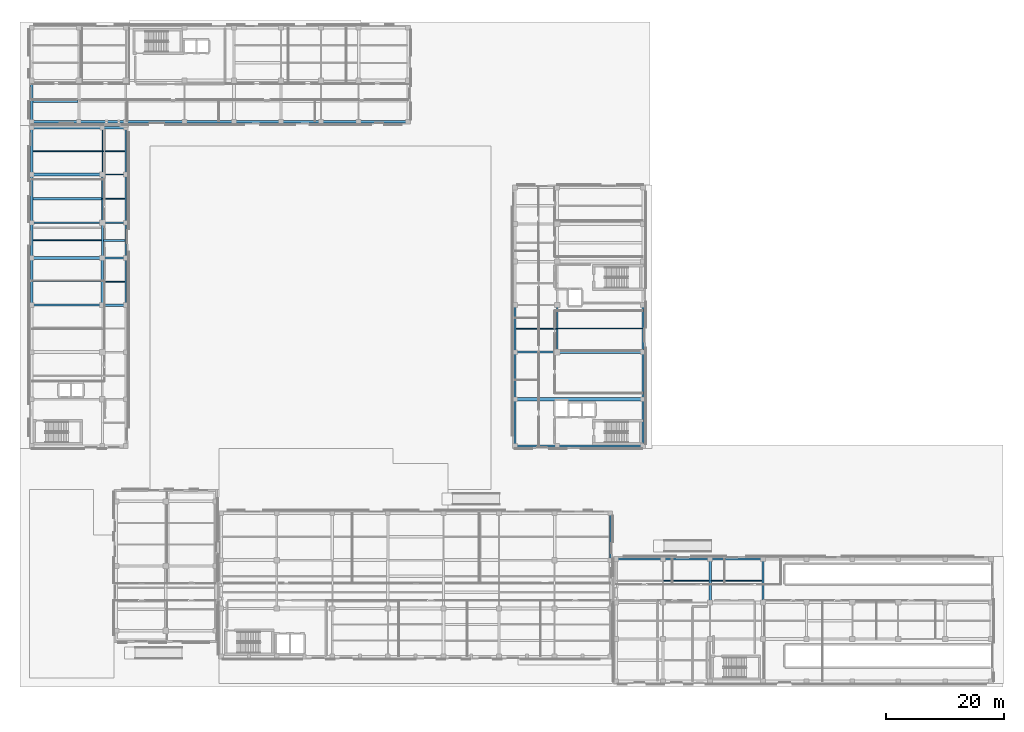
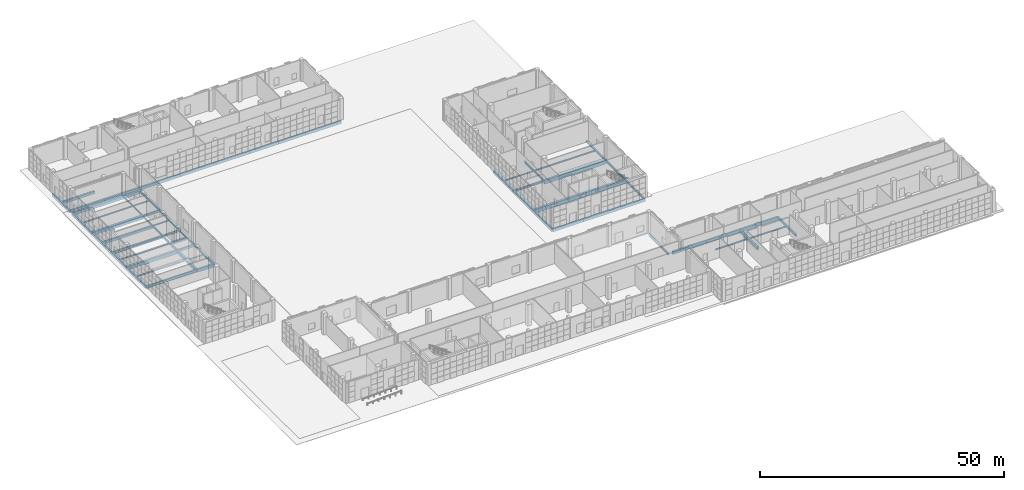
# One storey, part 4 of 40: 62 beams.
"""IFC4 building model written with IfcOpenShell, lengths in metres."""

import ifcopenshell
import ifcopenshell.guid

model = None  # the IFC model being written
_history = None  # IfcOwnerHistory: only IFC2X3 demands one
_inside = {}  # id of a spatial element -> (the spatial element, [elements in it])
_under = {}  # id of a project, library or spatial element -> (it, [spatial elements below it])
_declared = {}  # id of a project -> (the project, [libraries it declares])
_typed = {}  # id of a type object -> (the type object, [elements of that type])
_made_of = {}  # id of a material, layer set ... -> (it, [elements and type objects made of it])


def new_model(schema):
    """Start an empty IFC model of exactly this schema.

    Asked for "IFC4X3", IfcOpenShell would pick the latest addendum, in which some entities
    have other attributes; the version numbers below select the first issue.
    IFC2X3 requires an IfcOwnerHistory on every rooted entity: one is made here for all.
    """
    global model, _history
    if schema == "IFC4X3":
        model = ifcopenshell.file(schema_version=(4, 3, 0, 0))
    else:
        model = ifcopenshell.file(schema=schema)
    _inside.clear()
    _under.clear()
    _declared.clear()
    _typed.clear()
    _made_of.clear()
    _history = None
    if model.schema == "IFC2X3":
        org = make("IfcOrganization", Name="unknown")
        user = make(
            "IfcPersonAndOrganization",
            ThePerson=make("IfcPerson", FamilyName="unknown"),
            TheOrganization=org,
        )
        app = make(
            "IfcApplication",
            ApplicationDeveloper=org,
            Version="unknown",
            ApplicationFullName="unknown",
            ApplicationIdentifier="unknown",
        )
        _history = make(
            "IfcOwnerHistory",
            OwningUser=user,
            OwningApplication=app,
            ChangeAction="ADDED",
            CreationDate=0,
        )
    return model


def make(cls, **values):
    """One entity of the class cls with the attributes given. An attribute that is None is left unset."""
    return model.create_entity(
        cls, **{name: value for name, value in values.items() if value is not None}
    )


def rooted(cls, **values):
    """An entity with a GlobalId (a new one), such as an element, a storey or a relation."""
    return make(cls, GlobalId=ifcopenshell.guid.new(), OwnerHistory=_history, **values)


def si_unit(unit_type, name, prefix=None):
    """IfcSIUnit, for example si_unit("LENGTHUNIT", "METRE", prefix="MILLI")."""
    return make("IfcSIUnit", UnitType=unit_type, Prefix=prefix, Name=name)


def assignment(units):
    """IfcUnitAssignment: the units of a project."""
    return None if units is None else make("IfcUnitAssignment", Units=units)


def point(xyz):
    """IfcCartesianPoint."""
    return None if xyz is None else make("IfcCartesianPoint", Coordinates=xyz)


def direction(xyz):
    """IfcDirection."""
    return None if xyz is None else make("IfcDirection", DirectionRatios=xyz)


def frame(location, z_axis=None, x_axis=None):
    """IfcAxis2Placement3D, a coordinate frame: its origin and axes. An axis left out is left unset."""
    return make(
        "IfcAxis2Placement3D",
        Location=point(location),
        Axis=direction(z_axis),
        RefDirection=direction(x_axis),
    )


def frame_2d(location, x_axis=None):
    """IfcAxis2Placement2D, a coordinate frame in the plane: its origin and x axis."""
    return make(
        "IfcAxis2Placement2D", Location=point(location), RefDirection=direction(x_axis)
    )


def origin():
    """The frame at (0, 0, 0) with its axes left unset."""
    return frame((0.0, 0.0, 0.0))


def origin_2d():
    """The frame at (0, 0) in the plane with its x axis left unset."""
    return frame_2d((0.0, 0.0))


def place(relative_to, where):
    """IfcLocalPlacement: puts the frame where relative to a parent placement (None: the world)."""
    return make(
        "IfcLocalPlacement", PlacementRelTo=relative_to, RelativePlacement=where
    )


def context(
    kind, dimensions, precision=None, world=None, true_north=None, identifier=None
):
    """IfcGeometricRepresentationContext, for example the 3D "Model" context."""
    return make(
        "IfcGeometricRepresentationContext",
        ContextIdentifier=identifier,
        ContextType=kind,
        CoordinateSpaceDimension=dimensions,
        Precision=precision,
        WorldCoordinateSystem=world,
        TrueNorth=true_north,
    )


def subcontext(parent, identifier, kind, view, scale=None):
    """IfcGeometricRepresentationSubContext, for example "Body" below "Model"."""
    return make(
        "IfcGeometricRepresentationSubContext",
        ContextIdentifier=identifier,
        ContextType=kind,
        ParentContext=parent,
        TargetScale=scale,
        TargetView=view,
    )


def project(units=None, contexts=None):
    """IfcProject with its units and contexts."""
    return rooted(
        "IfcProject",
        Name="project",
        RepresentationContexts=contexts,
        UnitsInContext=assignment(units),
    )


def spatial(cls, under=None, at=None, **own):
    """A site, building, storey or space (cls), placed at a placement, below another one or the project."""
    s = rooted(cls, ObjectPlacement=at, **own)
    if under is not None:
        _under.setdefault(under.id(), (under, []))[1].append(s)
    return s


def profile(cls, at=None, kind="AREA", **sizes):
    """A parametric profile (cls). Its sizes go by their IFC names, for example OverallWidth=200.0."""
    return make(cls, ProfileType=kind, Position=at, **sizes)


def rectangle(**sizes):
    """IfcRectangleProfileDef."""
    return profile("IfcRectangleProfileDef", **sizes)


def i_section(**sizes):
    """IfcIShapeProfileDef."""
    return profile("IfcIShapeProfileDef", **sizes)


def extrude(swept, where, along, depth):
    """IfcExtrudedAreaSolid: the profile swept, set in the frame where, extruded along a direction by depth."""
    return make(
        "IfcExtrudedAreaSolid",
        SweptArea=swept,
        Position=where,
        ExtrudedDirection=direction(along),
        Depth=depth,
    )


def shape(context_of_items, identifier, shape_type, items):
    """IfcShapeRepresentation: the items that make up one representation, for example the "Body"."""
    return make(
        "IfcShapeRepresentation",
        ContextOfItems=context_of_items,
        RepresentationIdentifier=identifier,
        RepresentationType=shape_type,
        Items=items,
    )


def material(Name=None, Category=None):
    """IfcMaterial."""
    return make("IfcMaterial", Name=Name, Category=Category)


def material_profile(
    of_material, cross_section, Name=None, Category=None, Priority=None
):
    """IfcMaterialProfile: a cross section and its material."""
    return make(
        "IfcMaterialProfile",
        Name=Name,
        Material=of_material,
        Profile=cross_section,
        Priority=Priority,
        Category=Category,
    )


def profile_set(profiles, Name=None, composite=None):
    """IfcMaterialProfileSet."""
    return make(
        "IfcMaterialProfileSet",
        Name=Name,
        MaterialProfiles=profiles,
        CompositeProfile=composite,
    )


def made_of(thing, what):
    """Note that an element or type object is made of a material, layer set ...; save() writes the relation."""
    if what is not None:
        _made_of.setdefault(what.id(), (what, []))[1].append(thing)
    return thing


def type_object(cls, material=None, **own):
    """A type object (cls), such as IfcWallType, which elements share."""
    return made_of(rooted(cls, **own), material)


def element(
    cls,
    number,
    at=None,
    inside=None,
    cuts=None,
    type_object=None,
    material=None,
    context=None,
    identifier="Body",
    shape_type=None,
    held_by="IfcProductDefinitionShape",
    body=None,
    shapes=None,
    **own,
):
    """One element of the class cls, such as IfcWall. Its Tag is "e" and its number.

    at: its placement. inside: the storey or other place that contains it. cuts: it is an
    opening in that element (IfcRelVoidsElement). A single representation is given by context,
    identifier, shape_type and body (its items); several are given by shapes. held_by: the class
    of the entity that holds the representations. save() writes the other relations.
    """
    e = rooted(cls, Tag="e%d" % number, ObjectPlacement=at, **own)
    if body is not None:
        shapes = [shape(context, identifier, shape_type, body)]
    if shapes is not None:
        e.Representation = make(held_by, Representations=shapes)
    if inside is not None:
        _inside.setdefault(inside.id(), (inside, []))[1].append(e)
    if cuts is not None:
        rooted(
            "IfcRelVoidsElement", RelatingBuildingElement=cuts, RelatedOpeningElement=e
        )
    if type_object is not None:
        _typed.setdefault(type_object.id(), (type_object, []))[1].append(e)
    return made_of(e, material)


def aggregate(whole, parts):
    """IfcRelAggregates: a whole, such as a stair, and the parts it consists of."""
    return rooted("IfcRelAggregates", RelatingObject=whole, RelatedObjects=parts)


def save(model, path):
    """Write the relations noted so far, then the file.

    IfcRelAggregates (storeys below a building ...), IfcRelContainedInSpatialStructure (elements
    in a storey), IfcRelDefinesByType, IfcRelAssociatesMaterial and IfcRelDeclares: one each for
    every whole, place, type object, material and project.
    """
    for whole, parts in _under.values():
        aggregate(whole, parts)
    for where, things in _inside.values():
        rooted(
            "IfcRelContainedInSpatialStructure",
            RelatedElements=things,
            RelatingStructure=where,
        )
    for kind, things in _typed.values():
        rooted("IfcRelDefinesByType", RelatedObjects=things, RelatingType=kind)
    for what, things in _made_of.values():
        rooted("IfcRelAssociatesMaterial", RelatedObjects=things, RelatingMaterial=what)
    for by, libraries in _declared.values():
        rooted("IfcRelDeclares", RelatingContext=by, RelatedDefinitions=libraries)
    model.write(path)


model = new_model("IFC4")

# Units and contexts
model_context = context("Model", 3, precision=1e-05, world=origin(), true_north=direction((0.0, 1.0)))
body_context = subcontext(model_context, "Body", "Model", "MODEL_VIEW")
ifc_project = project(units=[si_unit("LENGTHUNIT", "METRE"), si_unit("AREAUNIT", "SQUARE_METRE"), si_unit("VOLUMEUNIT", "CUBIC_METRE"), si_unit("PLANEANGLEUNIT", "RADIAN"), si_unit("MASSUNIT", "GRAM", prefix="KILO")], contexts=[model_context])

# Site, building, storey
site_placement = place(None, origin())
site = spatial("IfcSite", under=ifc_project, at=site_placement, CompositionType="ELEMENT")
building_placement = place(site_placement, origin())
building = spatial("IfcBuilding", under=site, at=building_placement, Name="Qalavern Law Courts", CompositionType="ELEMENT")
storey_placement = place(building_placement, origin())
storey = spatial("IfcBuildingStorey", under=building, at=storey_placement, Name="L00", CompositionType="ELEMENT", Elevation=0.0)

# Beams
ifc_material_1 = material(Name="Steel S355", Category="steel")
ifc_material_profile_1 = material_profile(ifc_material_1, i_section(OverallWidth=0.300048828125, OverallDepth=0.489990234375, WebThickness=0.011962890625, FlangeThickness=0.02294921875, FilletRadius=0.027099609375, at=origin_2d()), Name="HEA 500")
ifc_profile_set_1 = profile_set([ifc_material_profile_1], Name="Steel S355")
beam_type_1 = type_object("IfcBeamType", Name="STR-BM-HEA500", PredefinedType="BEAM", material=ifc_profile_set_1)
beam_1_placement = place(storey_placement, frame((14.39990234375, 79.39990234375, -0.5849609375), z_axis=(1.0, 0.0, 0.0), x_axis=(0.0, 1.0, 0.0)))
element("IfcBeam", 1, at=beam_1_placement, inside=storey, type_object=beam_type_1, Name="V3 X-beam 6-2 L00", PredefinedType="BEAM", context=body_context, shape_type="SweptSolid", body=[
    extrude(i_section(OverallWidth=0.300048828125, OverallDepth=0.489990234375, WebThickness=0.011962890625, FlangeThickness=0.02294921875, FilletRadius=0.027099609375, at=origin_2d()), origin(), (0.0, 0.0, 1.0), 4.0),
])
beam_2_placement = place(storey_placement, frame((84.60009765625, 57.39990234375, -0.5849609375), z_axis=(1.0, 0.0, 0.0), x_axis=(0.0, 1.0, 0.0)))
element("IfcBeam", 2, at=beam_2_placement, inside=storey, type_object=beam_type_1, Name="V4 X-beam 3-1 L00", PredefinedType="BEAM", context=body_context, shape_type="SweptSolid", body=[
    extrude(i_section(OverallWidth=0.300048828125, OverallDepth=0.489990234375, WebThickness=0.011962890625, FlangeThickness=0.02294921875, FilletRadius=0.027099609375, at=origin_2d()), origin(), (0.0, 0.0, 1.0), 7.199951171875),
])
ifc_material_profile_2 = material_profile(ifc_material_1, i_section(OverallWidth=0.300048828125, OverallDepth=0.699951171875, WebThickness=0.01708984375, FlangeThickness=0.031982421875, FilletRadius=0.027099609375, at=origin_2d()), Name="HEB 700")
ifc_profile_set_2 = profile_set([ifc_material_profile_2], Name="Steel S355")
beam_type_2 = type_object("IfcBeamType", Name="STR-BM-HEB700", PredefinedType="BEAM", material=ifc_profile_set_2)
for number, where, z_axis, x_axis, name in (
    (3, (2.39990234375, 65.39990234375, -0.68994140625), (1.0, 0.0, 0.0), (0.0, 1.0, 0.0), "V3 X-beam 4-1 L00"),
    (4, (2.39990234375, 79.39990234375, -0.68994140625), (1.0, 0.0, 0.0), (0.0, 1.0, 0.0), "V3 X-beam 6-1 L00"),
):
    element("IfcBeam", number, at=place(storey_placement, frame(where, z_axis=z_axis, x_axis=x_axis)), inside=storey, type_object=beam_type_2, Name=name, PredefinedType="BEAM", context=body_context, shape_type="SweptSolid", body=[
        extrude(i_section(OverallWidth=0.300048828125, OverallDepth=0.699951171875, WebThickness=0.01708984375, FlangeThickness=0.031982421875, FilletRadius=0.027099609375, at=origin_2d()), origin(), (0.0, 0.0, 1.0), 12.0),
    ])
ifc_material_profile_3 = material_profile(ifc_material_1, i_section(OverallWidth=0.179931640625, OverallDepth=0.39990234375, WebThickness=0.008544921875, FlangeThickness=0.013427734375, FilletRadius=0.02099609375, at=origin_2d()), Name="IPE 400")
ifc_profile_set_3 = profile_set([ifc_material_profile_3], Name="Steel S355")
beam_type_3 = type_object("IfcBeamType", Name="STR-BM-IPE400", PredefinedType="BEAM", material=ifc_profile_set_3)
beam_3_placement = place(storey_placement, frame((14.39990234375, 87.60009765625, -0.5400390625), z_axis=(0.0, 1.0, 0.0), x_axis=(-1.0, 0.0, 0.0)))
element("IfcBeam", 5, at=beam_3_placement, inside=storey, type_object=beam_type_3, Name="V3 Y-beam 2-7 L00", PredefinedType="BEAM", context=body_context, shape_type="SweptSolid", body=[
    extrude(i_section(OverallWidth=0.179931640625, OverallDepth=0.39990234375, WebThickness=0.008544921875, FlangeThickness=0.013427734375, FilletRadius=0.02099609375, at=origin_2d()), origin(), (0.0, 0.0, 1.0), 7.97998046875),
])
ifc_material_profile_4 = material_profile(ifc_material_1, i_section(OverallWidth=0.199951171875, OverallDepth=0.5, WebThickness=0.01025390625, FlangeThickness=0.01611328125, FilletRadius=0.02099609375, at=origin_2d()), Name="IPE 500")
ifc_profile_set_4 = profile_set([ifc_material_profile_4], Name="Steel S355")
beam_type_4 = type_object("IfcBeamType", Name="STR-BM-IPE500", PredefinedType="BEAM", material=ifc_profile_set_4)
beam_4_placement = place(storey_placement, frame((14.39990234375, 79.39990234375, -0.590087890625), z_axis=(0.0, 1.0, 0.0), x_axis=(-1.0, 0.0, 0.0)))
element("IfcBeam", 6, at=beam_4_placement, inside=storey, type_object=beam_type_4, Name="V3 Y-beam 2-6 L00", PredefinedType="BEAM", context=body_context, shape_type="SweptSolid", body=[
    extrude(i_section(OverallWidth=0.199951171875, OverallDepth=0.5, WebThickness=0.01025390625, FlangeThickness=0.01611328125, FilletRadius=0.02099609375, at=origin_2d()), origin(), (0.0, 0.0, 1.0), 8.2001953125),
])
beam_5_placement = place(storey_placement, frame((91.800048828125, 57.39990234375, -0.590087890625), z_axis=(0.0, 1.0, 0.0), x_axis=(-1.0, 0.0, 0.0)))
element("IfcBeam", 7, at=beam_5_placement, inside=storey, type_object=beam_type_4, Name="V4 Y-beam 2-2 L00", PredefinedType="BEAM", context=body_context, shape_type="SweptSolid", body=[
    extrude(i_section(OverallWidth=0.199951171875, OverallDepth=0.5, WebThickness=0.01025390625, FlangeThickness=0.01611328125, FilletRadius=0.02099609375, at=origin_2d()), origin(), (0.0, 0.0, 1.0), 8.0),
])
ifc_material_profile_5 = material_profile(ifc_material_1, i_section(OverallWidth=0.219970703125, OverallDepth=0.60009765625, WebThickness=0.011962890625, FlangeThickness=0.01904296875, FilletRadius=0.02392578125, at=origin_2d()), Name="IPE 600")
ifc_profile_set_5 = profile_set([ifc_material_profile_5], Name="Steel S355")
beam_type_5 = type_object("IfcBeamType", Name="STR-BM-IPE600", PredefinedType="BEAM", material=ifc_profile_set_5)
beam_6_placement = place(storey_placement, frame((14.39990234375, 87.60009765625, -0.639892578125), z_axis=(1.0, 0.0, 0.0), x_axis=(0.0, 1.0, 0.0)))
element("IfcBeam", 8, at=beam_6_placement, inside=storey, type_object=beam_type_5, Name="V3 X-beam 7-2 L00", PredefinedType="BEAM", context=body_context, shape_type="SweptSolid", body=[
    extrude(i_section(OverallWidth=0.219970703125, OverallDepth=0.60009765625, WebThickness=0.011962890625, FlangeThickness=0.01904296875, FilletRadius=0.02392578125, at=origin_2d()), origin(), (0.0, 0.0, 1.0), 4.0),
])
ifc_material_2 = material(Name="Concrete C35/45", Category="concrete")
ifc_material_profile_6 = material_profile(ifc_material_2, rectangle(XDim=0.35009765625, YDim=0.550048828125, at=origin_2d()), Name="RC 350x550")
ifc_profile_set_6 = profile_set([ifc_material_profile_6], Name="Concrete C35/45")
beam_type_6 = type_object("IfcBeamType", Name="STR-BM-RC350x550", PredefinedType="BEAM", material=ifc_profile_set_6)
beam_7_placement = place(storey_placement, frame((14.39990234375, 73.39990234375, -0.614990234375), z_axis=(0.0, 1.0, 0.0), x_axis=(-1.0, 0.0, 0.0)))
element("IfcBeam", 9, at=beam_7_placement, inside=storey, type_object=beam_type_6, Name="V3 Y-beam 2-5 L00", PredefinedType="BEAM", context=body_context, shape_type="SweptSolid", body=[
    extrude(rectangle(XDim=0.35009765625, YDim=0.550048828125, at=origin_2d()), origin(), (0.0, 0.0, 1.0), 6.0),
])
beam_8_placement = place(storey_placement, frame((126.800048828125, 14.800048828125, -0.614990234375), z_axis=(0.0, 1.0, 0.0), x_axis=(-1.0, 0.0, 0.0)))
element("IfcBeam", 10, at=beam_8_placement, inside=storey, type_object=beam_type_6, Name="V6 Y-beam 4-3 L00", PredefinedType="BEAM", context=body_context, shape_type="SweptSolid", body=[
    extrude(rectangle(XDim=0.35009765625, YDim=0.550048828125, at=origin_2d()), origin(), (0.0, 0.0, 1.0), 7.39990234375),
])
ifc_material_profile_7 = material_profile(ifc_material_2, rectangle(XDim=0.35009765625, YDim=0.60009765625, at=origin_2d()), Name="RC 350x600")
ifc_profile_set_7 = profile_set([ifc_material_profile_7], Name="Concrete C35/45")
beam_type_7 = type_object("IfcBeamType", Name="STR-BM-RC350x600", PredefinedType="BEAM", material=ifc_profile_set_7)
beam_9_placement = place(storey_placement, frame((14.39990234375, 73.39990234375, -0.639892578125), z_axis=(1.0, 0.0, 0.0), x_axis=(0.0, 1.0, 0.0)))
element("IfcBeam", 11, at=beam_9_placement, inside=storey, type_object=beam_type_7, Name="V3 X-beam 5-2 L00", PredefinedType="BEAM", context=body_context, shape_type="SweptSolid", body=[
    extrude(rectangle(XDim=0.35009765625, YDim=0.60009765625, at=origin_2d()), origin(), (0.0, 0.0, 1.0), 4.0),
])
ifc_material_3 = material(Name="Concrete C40/50", Category="concrete")
ifc_material_profile_8 = material_profile(ifc_material_3, rectangle(XDim=0.449951171875, YDim=0.75, at=origin_2d()), Name="RC 450x750")
ifc_profile_set_8 = profile_set([ifc_material_profile_8], Name="Concrete C40/50")
beam_type_8 = type_object("IfcBeamType", Name="STR-BM-RC450x750", PredefinedType="BEAM", material=ifc_profile_set_8)
beam_10_placement = place(storey_placement, frame((14.39990234375, 65.39990234375, -0.715087890625), z_axis=(1.0, 0.0, 0.0), x_axis=(0.0, 1.0, 0.0)))
element("IfcBeam", 12, at=beam_10_placement, inside=storey, type_object=beam_type_8, Name="V3 X-beam 4-2 L00", PredefinedType="BEAM", context=body_context, shape_type="SweptSolid", body=[
    extrude(rectangle(XDim=0.449951171875, YDim=0.75, at=origin_2d()), origin(), (0.0, 0.0, 1.0), 4.0),
])
beam_11_placement = place(storey_placement, frame((14.39990234375, 65.39990234375, -0.715087890625), z_axis=(0.0, 1.0, 0.0), x_axis=(-1.0, 0.0, 0.0)))
element("IfcBeam", 13, at=beam_11_placement, inside=storey, type_object=beam_type_8, Name="V3 Y-beam 2-4 L00", PredefinedType="BEAM", context=body_context, shape_type="SweptSolid", body=[
    extrude(rectangle(XDim=0.449951171875, YDim=0.75, at=origin_2d()), origin(), (0.0, 0.0, 1.0), 8.0),
])
beam_12_placement = place(storey_placement, frame((117.800048828125, 14.800048828125, -0.715087890625), z_axis=(0.0, 1.0, 0.0), x_axis=(-1.0, 0.0, 0.0)))
element("IfcBeam", 14, at=beam_12_placement, inside=storey, type_object=beam_type_8, Name="V6 Y-beam 3-3 L00", PredefinedType="BEAM", context=body_context, shape_type="SweptSolid", body=[
    extrude(rectangle(XDim=0.449951171875, YDim=0.75, at=origin_2d()), origin(), (0.0, 0.0, 1.0), 7.39990234375),
])
ifc_material_profile_9 = material_profile(ifc_material_3, rectangle(XDim=0.5, YDim=0.85009765625, at=origin_2d()), Name="RC 500x850")
ifc_profile_set_9 = profile_set([ifc_material_profile_9], Name="Concrete C40/50")
beam_type_9 = type_object("IfcBeamType", Name="STR-BM-RC500x850", PredefinedType="BEAM", material=ifc_profile_set_9)
for number, where, z_axis, x_axis, name in (
    (15, (2.39990234375, 73.39990234375, -0.764892578125), (1.0, 0.0, 0.0), (0.0, 1.0, 0.0), "V3 X-beam 5-1 L00"),
    (16, (2.39990234375, 87.60009765625, -0.764892578125), (1.0, 0.0, 0.0), (0.0, 1.0, 0.0), "V3 X-beam 7-1 L00"),
):
    element("IfcBeam", number, at=place(storey_placement, frame(where, z_axis=z_axis, x_axis=x_axis)), inside=storey, type_object=beam_type_9, Name=name, PredefinedType="BEAM", context=body_context, shape_type="SweptSolid", body=[
        extrude(rectangle(XDim=0.5, YDim=0.85009765625, at=origin_2d()), origin(), (0.0, 0.0, 1.0), 12.0),
    ])
ifc_material_profile_10 = material_profile(ifc_material_3, rectangle(XDim=0.550048828125, YDim=0.949951171875, at=origin_2d()), Name="RC 550x950")
ifc_profile_set_10 = profile_set([ifc_material_profile_10], Name="Concrete C40/50")
beam_type_10 = type_object("IfcBeamType", Name="STR-BM-RC550x950", PredefinedType="BEAM", material=ifc_profile_set_10)
beam_13_placement = place(storey_placement, frame((84.60009765625, 49.39990234375, -0.81494140625), z_axis=(1.0, 0.0, 0.0), x_axis=(0.0, 1.0, 0.0)))
element("IfcBeam", 17, at=beam_13_placement, inside=storey, type_object=beam_type_10, Name="V4 X-beam 2-1 L00", PredefinedType="BEAM", context=body_context, shape_type="SweptSolid", body=[
    extrude(rectangle(XDim=0.550048828125, YDim=0.949951171875, at=origin_2d()), origin(), (0.0, 0.0, 1.0), 21.7998046875),
])
beam_14_placement = place(storey_placement, frame((91.800048828125, 57.39990234375, -0.81494140625), z_axis=(1.0, 0.0, 0.0), x_axis=(0.0, 1.0, 0.0)))
element("IfcBeam", 18, at=beam_14_placement, inside=storey, type_object=beam_type_10, Name="V4 X-beam 3-2 L00", PredefinedType="BEAM", context=body_context, shape_type="SweptSolid", body=[
    extrude(rectangle(XDim=0.550048828125, YDim=0.949951171875, at=origin_2d()), origin(), (0.0, 0.0, 1.0), 14.599853515625),
])
ifc_material_profile_11 = material_profile(ifc_material_1, i_section(OverallWidth=0.135009765625, OverallDepth=0.27001953125, WebThickness=0.006591796875, FlangeThickness=0.01025390625, FilletRadius=0.014892578125, at=origin_2d()), Name="IPE 270")
ifc_profile_set_11 = profile_set([ifc_material_profile_11], Name="Steel S355")
beam_type_11 = type_object("IfcBeamType", Name="STR-JST-IPE270", PredefinedType="JOIST", material=ifc_profile_set_11)
beam_15_placement = place(storey_placement, frame((2.597900390625, 69.39990234375, -0.47509765625), z_axis=(1.0, 0.0, 0.0), x_axis=(0.0, 1.0, 0.0)))
element("IfcBeam", 19, at=beam_15_placement, inside=storey, type_object=beam_type_11, Name="V3 secondary joist 1.4.1 L00", PredefinedType="JOIST", context=body_context, shape_type="SweptSolid", body=[
    extrude(i_section(OverallWidth=0.135009765625, OverallDepth=0.27001953125, WebThickness=0.006591796875, FlangeThickness=0.01025390625, FilletRadius=0.014892578125, at=origin_2d()), origin(), (0.0, 0.0, 1.0), 11.5791015625),
])
beam_16_placement = place(storey_placement, frame((91.89794921875, 61.39990234375, -0.47509765625), z_axis=(1.0, 0.0, 0.0), x_axis=(0.0, 1.0, 0.0)))
element("IfcBeam", 20, at=beam_16_placement, inside=storey, type_object=beam_type_11, Name="V4 secondary joist 2.3.1 L00", PredefinedType="JOIST", context=body_context, shape_type="SweptSolid", body=[
    extrude(i_section(OverallWidth=0.135009765625, OverallDepth=0.27001953125, WebThickness=0.006591796875, FlangeThickness=0.01025390625, FilletRadius=0.014892578125, at=origin_2d()), origin(), (0.0, 0.0, 1.0), 14.35400390625),
])
beam_17_placement = place(storey_placement, frame((109.887939453125, 18.5, -0.47509765625), z_axis=(1.0, 0.0, 0.0), x_axis=(0.0, 1.0, 0.0)))
element("IfcBeam", 21, at=beam_17_placement, inside=storey, type_object=beam_type_11, Name="V6 secondary joist 2.3.1 L00", PredefinedType="JOIST", context=body_context, shape_type="SweptSolid", body=[
    extrude(i_section(OverallWidth=0.135009765625, OverallDepth=0.27001953125, WebThickness=0.006591796875, FlangeThickness=0.01025390625, FilletRadius=0.014892578125, at=origin_2d()), origin(), (0.0, 0.0, 1.0), 7.68896484375),
])
ifc_material_profile_12 = material_profile(ifc_material_1, i_section(OverallWidth=0.14990234375, OverallDepth=0.300048828125, WebThickness=0.007080078125, FlangeThickness=0.0107421875, FilletRadius=0.014892578125, at=origin_2d()), Name="IPE 300")
ifc_profile_set_12 = profile_set([ifc_material_profile_12], Name="Steel S355")
beam_type_12 = type_object("IfcBeamType", Name="STR-JST-IPE300", PredefinedType="JOIST", material=ifc_profile_set_12)
beam_18_placement = place(storey_placement, frame((14.488037109375, 91.590087890625, -0.489990234375), z_axis=(1.0, 0.0, 0.0), x_axis=(0.0, 1.0, 0.0)))
element("IfcBeam", 22, at=beam_18_placement, inside=storey, type_object=beam_type_12, Name="V3 secondary joist 2.7.1 L00", PredefinedType="JOIST", context=body_context, shape_type="SweptSolid", body=[
    extrude(i_section(OverallWidth=0.14990234375, OverallDepth=0.300048828125, WebThickness=0.007080078125, FlangeThickness=0.0107421875, FilletRadius=0.014892578125, at=origin_2d()), origin(), (0.0, 0.0, 1.0), 3.763916015625),
])
beam_19_placement = place(storey_placement, frame((84.798095703125, 61.39990234375, -0.489990234375), z_axis=(1.0, 0.0, 0.0), x_axis=(0.0, 1.0, 0.0)))
element("IfcBeam", 23, at=beam_19_placement, inside=storey, type_object=beam_type_12, Name="V4 secondary joist 1.3.1 L00", PredefinedType="JOIST", context=body_context, shape_type="SweptSolid", body=[
    extrude(i_section(OverallWidth=0.14990234375, OverallDepth=0.300048828125, WebThickness=0.007080078125, FlangeThickness=0.0107421875, FilletRadius=0.014892578125, at=origin_2d()), origin(), (0.0, 0.0, 1.0), 6.90380859375),
])
ifc_material_profile_13 = material_profile(ifc_material_1, i_section(OverallWidth=0.159912109375, OverallDepth=0.330078125, WebThickness=0.007568359375, FlangeThickness=0.011474609375, FilletRadius=0.01806640625, at=origin_2d()), Name="IPE 330")
ifc_profile_set_13 = profile_set([ifc_material_profile_13], Name="Steel S355")
beam_type_13 = type_object("IfcBeamType", Name="STR-JST-IPE330", PredefinedType="JOIST", material=ifc_profile_set_13)
beam_20_placement = place(storey_placement, frame((2.597900390625, 91.590087890625, -0.5048828125), z_axis=(1.0, 0.0, 0.0), x_axis=(0.0, 1.0, 0.0)))
element("IfcBeam", 24, at=beam_20_placement, inside=storey, type_object=beam_type_13, Name="V3 secondary joist 1.7.1 L00", PredefinedType="JOIST", context=body_context, shape_type="SweptSolid", body=[
    extrude(i_section(OverallWidth=0.159912109375, OverallDepth=0.330078125, WebThickness=0.007568359375, FlangeThickness=0.011474609375, FilletRadius=0.01806640625, at=origin_2d()), origin(), (0.0, 0.0, 1.0), 11.714111328125),
])
beam_21_placement = place(storey_placement, frame((14.498046875, 83.5, -0.5048828125), z_axis=(1.0, 0.0, 0.0), x_axis=(0.0, 1.0, 0.0)))
element("IfcBeam", 25, at=beam_21_placement, inside=storey, type_object=beam_type_13, Name="V3 secondary joist 2.6.1 L00", PredefinedType="JOIST", context=body_context, shape_type="SweptSolid", body=[
    extrude(i_section(OverallWidth=0.159912109375, OverallDepth=0.330078125, WebThickness=0.007568359375, FlangeThickness=0.011474609375, FilletRadius=0.01806640625, at=origin_2d()), origin(), (0.0, 0.0, 1.0), 3.75390625),
])
ifc_material_profile_14 = material_profile(ifc_material_1, i_section(OverallWidth=0.169921875, OverallDepth=0.360107421875, WebThickness=0.008056640625, FlangeThickness=0.0126953125, FilletRadius=0.01806640625, at=origin_2d()), Name="IPE 360")
ifc_profile_set_14 = profile_set([ifc_material_profile_14], Name="Steel S355")
beam_type_14 = type_object("IfcBeamType", Name="STR-JST-IPE360", PredefinedType="JOIST", material=ifc_profile_set_14)
beam_22_placement = place(storey_placement, frame((2.597900390625, 76.39990234375, -0.52001953125), z_axis=(1.0, 0.0, 0.0), x_axis=(0.0, 1.0, 0.0)))
element("IfcBeam", 26, at=beam_22_placement, inside=storey, type_object=beam_type_14, Name="V3 secondary joist 1.5.1 L00", PredefinedType="JOIST", context=body_context, shape_type="SweptSolid", body=[
    extrude(i_section(OverallWidth=0.169921875, OverallDepth=0.360107421875, WebThickness=0.008056640625, FlangeThickness=0.0126953125, FilletRadius=0.01806640625, at=origin_2d()), origin(), (0.0, 0.0, 1.0), 11.629150390625),
])
beam_23_placement = place(storey_placement, frame((14.623046875, 69.39990234375, -0.52001953125), z_axis=(1.0, 0.0, 0.0), x_axis=(0.0, 1.0, 0.0)))
element("IfcBeam", 27, at=beam_23_placement, inside=storey, type_object=beam_type_14, Name="V3 secondary joist 2.4.1 L00", PredefinedType="JOIST", context=body_context, shape_type="SweptSolid", body=[
    extrude(i_section(OverallWidth=0.169921875, OverallDepth=0.360107421875, WebThickness=0.008056640625, FlangeThickness=0.0126953125, FilletRadius=0.01806640625, at=origin_2d()), origin(), (0.0, 0.0, 1.0), 3.62890625),
])
beam_24_placement = place(storey_placement, frame((118.02294921875, 18.5, -0.52001953125), z_axis=(1.0, 0.0, 0.0), x_axis=(0.0, 1.0, 0.0)))
element("IfcBeam", 28, at=beam_24_placement, inside=storey, type_object=beam_type_14, Name="V6 secondary joist 3.3.1 L00", PredefinedType="JOIST", context=body_context, shape_type="SweptSolid", body=[
    extrude(i_section(OverallWidth=0.169921875, OverallDepth=0.360107421875, WebThickness=0.008056640625, FlangeThickness=0.0126953125, FilletRadius=0.01806640625, at=origin_2d()), origin(), (0.0, 0.0, 1.0), 8.60400390625),
])
ifc_material_profile_15 = material_profile(ifc_material_2, rectangle(XDim=0.39990234375, YDim=0.64990234375, at=origin_2d()), Name="RC 400x650")
ifc_profile_set_15 = profile_set([ifc_material_profile_15], Name="Concrete C35/45")
beam_type_15 = type_object("IfcBeamType", Name="STR-JST-RC400x650", PredefinedType="JOIST", material=ifc_profile_set_15)
beam_25_placement = place(storey_placement, frame((2.597900390625, 83.5, -0.6650390625), z_axis=(1.0, 0.0, 0.0), x_axis=(0.0, 1.0, 0.0)))
element("IfcBeam", 29, at=beam_25_placement, inside=storey, type_object=beam_type_15, Name="V3 secondary joist 1.6.1 L00", PredefinedType="JOIST", context=body_context, shape_type="SweptSolid", body=[
    extrude(rectangle(XDim=0.39990234375, YDim=0.64990234375, at=origin_2d()), origin(), (0.0, 0.0, 1.0), 11.7041015625),
])
beam_26_placement = place(storey_placement, frame((14.572998046875, 76.39990234375, -0.6650390625), z_axis=(1.0, 0.0, 0.0), x_axis=(0.0, 1.0, 0.0)))
element("IfcBeam", 30, at=beam_26_placement, inside=storey, type_object=beam_type_15, Name="V3 secondary joist 2.5.1 L00", PredefinedType="JOIST", context=body_context, shape_type="SweptSolid", body=[
    extrude(rectangle(XDim=0.39990234375, YDim=0.64990234375, at=origin_2d()), origin(), (0.0, 0.0, 1.0), 3.678955078125),
])
beam_27_placement = place(storey_placement, frame((2.597900390625, 100.10009765625, -0.6650390625), z_axis=(1.0, 0.0, 0.0), x_axis=(0.0, 1.0, 0.0)))
element("IfcBeam", 31, at=beam_27_placement, inside=storey, type_object=beam_type_15, Name="V5 secondary joist 1.1.1 L00", PredefinedType="JOIST", context=body_context, shape_type="SweptSolid", body=[
    extrude(rectangle(XDim=0.39990234375, YDim=0.64990234375, at=origin_2d()), origin(), (0.0, 0.0, 1.0), 7.629150390625),
])
ifc_material_profile_16 = material_profile(ifc_material_1, i_section(OverallWidth=0.300048828125, OverallDepth=0.449951171875, WebThickness=0.013916015625, FlangeThickness=0.02587890625, FilletRadius=0.027099609375, at=origin_2d()), Name="HEB 450")
ifc_profile_set_16 = profile_set([ifc_material_profile_16], Name="Steel S355")
beam_type_16 = type_object("IfcBeamType", Name="STR-SP-HEB450", PredefinedType="SPANDREL", material=ifc_profile_set_16)
for number, where, z_axis, x_axis, name in (
    (32, (100.800048828125, 22.0, -0.56494140625), (0.0, 1.0, 0.0), (-1.0, 0.0, 0.0), "V2 Y-beam 8-3 L00"),
    (33, (18.39990234375, 65.39990234375, -0.56494140625), (0.0, 1.0, 0.0), (-1.0, 0.0, 0.0), "V3 Y-beam 3-4 L00"),
):
    element("IfcBeam", number, at=place(storey_placement, frame(where, z_axis=z_axis, x_axis=x_axis)), inside=storey, type_object=beam_type_16, Name=name, PredefinedType="SPANDREL", context=body_context, shape_type="SweptSolid", body=[
        extrude(i_section(OverallWidth=0.300048828125, OverallDepth=0.449951171875, WebThickness=0.013916015625, FlangeThickness=0.02587890625, FilletRadius=0.027099609375, at=origin_2d()), origin(), (0.0, 0.0, 1.0), 8.0),
    ])
beam_28_placement = place(storey_placement, frame((18.39990234375, 73.39990234375, -0.56494140625), z_axis=(0.0, 1.0, 0.0), x_axis=(-1.0, 0.0, 0.0)))
element("IfcBeam", 34, at=beam_28_placement, inside=storey, type_object=beam_type_16, Name="V3 Y-beam 3-5 L00", PredefinedType="SPANDREL", context=body_context, shape_type="SweptSolid", body=[
    extrude(i_section(OverallWidth=0.300048828125, OverallDepth=0.449951171875, WebThickness=0.013916015625, FlangeThickness=0.02587890625, FilletRadius=0.027099609375, at=origin_2d()), origin(), (0.0, 0.0, 1.0), 6.0),
])
beam_29_placement = place(storey_placement, frame((18.39990234375, 79.39990234375, -0.56494140625), z_axis=(0.0, 1.0, 0.0), x_axis=(-1.0, 0.0, 0.0)))
element("IfcBeam", 35, at=beam_29_placement, inside=storey, type_object=beam_type_16, Name="V3 Y-beam 3-6 L00", PredefinedType="SPANDREL", context=body_context, shape_type="SweptSolid", body=[
    extrude(i_section(OverallWidth=0.300048828125, OverallDepth=0.449951171875, WebThickness=0.013916015625, FlangeThickness=0.02587890625, FilletRadius=0.027099609375, at=origin_2d()), origin(), (0.0, 0.0, 1.0), 8.2001953125),
])
for number, where, z_axis, x_axis, name in (
    (36, (18.39990234375, 87.60009765625, -0.56494140625), (0.0, 1.0, 0.0), (-1.0, 0.0, 0.0), "V3 Y-beam 3-7 L00"),
    (37, (106.39990234375, 41.419921875, -0.56494140625), (0.0, 1.0, 0.0), (-1.0, 0.0, 0.0), "V4 Y-beam 3-1 L00"),
):
    element("IfcBeam", number, at=place(storey_placement, frame(where, z_axis=z_axis, x_axis=x_axis)), inside=storey, type_object=beam_type_16, Name=name, PredefinedType="SPANDREL", context=body_context, shape_type="SweptSolid", body=[
        extrude(i_section(OverallWidth=0.300048828125, OverallDepth=0.449951171875, WebThickness=0.013916015625, FlangeThickness=0.02587890625, FilletRadius=0.027099609375, at=origin_2d()), origin(), (0.0, 0.0, 1.0), 7.97998046875),
    ])
for number, where, z_axis, x_axis, name in (
    (38, (106.39990234375, 49.39990234375, -0.56494140625), (0.0, 1.0, 0.0), (-1.0, 0.0, 0.0), "V4 Y-beam 3-2 L00"),
    (39, (106.39990234375, 57.39990234375, -0.56494140625), (0.0, 1.0, 0.0), (-1.0, 0.0, 0.0), "V4 Y-beam 3-3 L00"),
):
    element("IfcBeam", number, at=place(storey_placement, frame(where, z_axis=z_axis, x_axis=x_axis)), inside=storey, type_object=beam_type_16, Name=name, PredefinedType="SPANDREL", context=body_context, shape_type="SweptSolid", body=[
        extrude(i_section(OverallWidth=0.300048828125, OverallDepth=0.449951171875, WebThickness=0.013916015625, FlangeThickness=0.02587890625, FilletRadius=0.027099609375, at=origin_2d()), origin(), (0.0, 0.0, 1.0), 8.0),
    ])
ifc_material_profile_17 = material_profile(ifc_material_3, rectangle(XDim=0.39990234375, YDim=0.699951171875, at=origin_2d()), Name="RC 400x700")
ifc_profile_set_17 = profile_set([ifc_material_profile_17], Name="Concrete C40/50")
beam_type_17 = type_object("IfcBeamType", Name="STR-SP-RC400x700", PredefinedType="SPANDREL", material=ifc_profile_set_17)
beam_30_placement = place(storey_placement, frame((2.39990234375, 95.580078125, -0.68994140625), z_axis=(1.0, 0.0, 0.0), x_axis=(0.0, 1.0, 0.0)))
element("IfcBeam", 40, at=beam_30_placement, inside=storey, type_object=beam_type_17, Name="V3 X-beam 8-1 L00", PredefinedType="SPANDREL", context=body_context, shape_type="SweptSolid", body=[
    extrude(rectangle(XDim=0.39990234375, YDim=0.699951171875, at=origin_2d()), origin(), (0.0, 0.0, 1.0), 12.0),
])
beam_31_placement = place(storey_placement, frame((14.39990234375, 95.580078125, -0.68994140625), z_axis=(1.0, 0.0, 0.0), x_axis=(0.0, 1.0, 0.0)))
element("IfcBeam", 41, at=beam_31_placement, inside=storey, type_object=beam_type_17, Name="V3 X-beam 8-2 L00", PredefinedType="SPANDREL", context=body_context, shape_type="SweptSolid", body=[
    extrude(rectangle(XDim=0.39990234375, YDim=0.699951171875, at=origin_2d()), origin(), (0.0, 0.0, 1.0), 4.0),
])
beam_32_placement = place(storey_placement, frame((2.39990234375, 65.39990234375, -0.68994140625), z_axis=(0.0, 1.0, 0.0), x_axis=(-1.0, 0.0, 0.0)))
element("IfcBeam", 42, at=beam_32_placement, inside=storey, type_object=beam_type_17, Name="V3 Y-beam 1-4 L00", PredefinedType="SPANDREL", context=body_context, shape_type="SweptSolid", body=[
    extrude(rectangle(XDim=0.39990234375, YDim=0.699951171875, at=origin_2d()), origin(), (0.0, 0.0, 1.0), 8.0),
])
beam_33_placement = place(storey_placement, frame((2.39990234375, 73.39990234375, -0.68994140625), z_axis=(0.0, 1.0, 0.0), x_axis=(-1.0, 0.0, 0.0)))
element("IfcBeam", 43, at=beam_33_placement, inside=storey, type_object=beam_type_17, Name="V3 Y-beam 1-5 L00", PredefinedType="SPANDREL", context=body_context, shape_type="SweptSolid", body=[
    extrude(rectangle(XDim=0.39990234375, YDim=0.699951171875, at=origin_2d()), origin(), (0.0, 0.0, 1.0), 6.0),
])
beam_34_placement = place(storey_placement, frame((2.39990234375, 79.39990234375, -0.68994140625), z_axis=(0.0, 1.0, 0.0), x_axis=(-1.0, 0.0, 0.0)))
element("IfcBeam", 44, at=beam_34_placement, inside=storey, type_object=beam_type_17, Name="V3 Y-beam 1-6 L00", PredefinedType="SPANDREL", context=body_context, shape_type="SweptSolid", body=[
    extrude(rectangle(XDim=0.39990234375, YDim=0.699951171875, at=origin_2d()), origin(), (0.0, 0.0, 1.0), 8.2001953125),
])
beam_35_placement = place(storey_placement, frame((2.39990234375, 87.60009765625, -0.68994140625), z_axis=(0.0, 1.0, 0.0), x_axis=(-1.0, 0.0, 0.0)))
element("IfcBeam", 45, at=beam_35_placement, inside=storey, type_object=beam_type_17, Name="V3 Y-beam 1-7 L00", PredefinedType="SPANDREL", context=body_context, shape_type="SweptSolid", body=[
    extrude(rectangle(XDim=0.39990234375, YDim=0.699951171875, at=origin_2d()), origin(), (0.0, 0.0, 1.0), 7.97998046875),
])
beam_36_placement = place(storey_placement, frame((84.60009765625, 41.419921875, -0.68994140625), z_axis=(1.0, 0.0, 0.0), x_axis=(0.0, 1.0, 0.0)))
element("IfcBeam", 46, at=beam_36_placement, inside=storey, type_object=beam_type_17, Name="V4 X-beam 1-1 L00", PredefinedType="SPANDREL", context=body_context, shape_type="SweptSolid", body=[
    extrude(rectangle(XDim=0.39990234375, YDim=0.699951171875, at=origin_2d()), origin(), (0.0, 0.0, 1.0), 7.199951171875),
])
beam_37_placement = place(storey_placement, frame((91.800048828125, 41.419921875, -0.68994140625), z_axis=(1.0, 0.0, 0.0), x_axis=(0.0, 1.0, 0.0)))
element("IfcBeam", 47, at=beam_37_placement, inside=storey, type_object=beam_type_17, Name="V4 X-beam 1-2 L00", PredefinedType="SPANDREL", context=body_context, shape_type="SweptSolid", body=[
    extrude(rectangle(XDim=0.39990234375, YDim=0.699951171875, at=origin_2d()), origin(), (0.0, 0.0, 1.0), 14.599853515625),
])
beam_38_placement = place(storey_placement, frame((84.60009765625, 41.419921875, -0.68994140625), z_axis=(0.0, 1.0, 0.0), x_axis=(-1.0, 0.0, 0.0)))
element("IfcBeam", 48, at=beam_38_placement, inside=storey, type_object=beam_type_17, Name="V4 Y-beam 1-1 L00", PredefinedType="SPANDREL", context=body_context, shape_type="SweptSolid", body=[
    extrude(rectangle(XDim=0.39990234375, YDim=0.699951171875, at=origin_2d()), origin(), (0.0, 0.0, 1.0), 7.97998046875),
])
for number, where, z_axis, x_axis, name in (
    (49, (84.60009765625, 49.39990234375, -0.68994140625), (0.0, 1.0, 0.0), (-1.0, 0.0, 0.0), "V4 Y-beam 1-2 L00"),
    (50, (84.60009765625, 57.39990234375, -0.68994140625), (0.0, 1.0, 0.0), (-1.0, 0.0, 0.0), "V4 Y-beam 1-3 L00"),
    (51, (2.39990234375, 96.60009765625, -0.68994140625), (1.0, 0.0, 0.0), (0.0, 1.0, 0.0), "V5 X-beam 1-1 L00"),
    (52, (10.39990234375, 96.60009765625, -0.68994140625), (1.0, 0.0, 0.0), (0.0, 1.0, 0.0), "V5 X-beam 1-2 L00"),
):
    element("IfcBeam", number, at=place(storey_placement, frame(where, z_axis=z_axis, x_axis=x_axis)), inside=storey, type_object=beam_type_17, Name=name, PredefinedType="SPANDREL", context=body_context, shape_type="SweptSolid", body=[
        extrude(rectangle(XDim=0.39990234375, YDim=0.699951171875, at=origin_2d()), origin(), (0.0, 0.0, 1.0), 8.0),
    ])
beam_39_placement = place(storey_placement, frame((18.39990234375, 96.60009765625, -0.68994140625), z_axis=(1.0, 0.0, 0.0), x_axis=(0.0, 1.0, 0.0)))
element("IfcBeam", 53, at=beam_39_placement, inside=storey, type_object=beam_type_17, Name="V5 X-beam 1-3 L00", PredefinedType="SPANDREL", context=body_context, shape_type="SweptSolid", body=[
    extrude(rectangle(XDim=0.39990234375, YDim=0.699951171875, at=origin_2d()), origin(), (0.0, 0.0, 1.0), 10.0),
])
beam_40_placement = place(storey_placement, frame((28.39990234375, 96.60009765625, -0.68994140625), z_axis=(1.0, 0.0, 0.0), x_axis=(0.0, 1.0, 0.0)))
element("IfcBeam", 54, at=beam_40_placement, inside=storey, type_object=beam_type_17, Name="V5 X-beam 1-4 L00", PredefinedType="SPANDREL", context=body_context, shape_type="SweptSolid", body=[
    extrude(rectangle(XDim=0.39990234375, YDim=0.699951171875, at=origin_2d()), origin(), (0.0, 0.0, 1.0), 8.400146484375),
])
beam_41_placement = place(storey_placement, frame((36.800048828125, 96.60009765625, -0.68994140625), z_axis=(1.0, 0.0, 0.0), x_axis=(0.0, 1.0, 0.0)))
element("IfcBeam", 55, at=beam_41_placement, inside=storey, type_object=beam_type_17, Name="V5 X-beam 1-5 L00", PredefinedType="SPANDREL", context=body_context, shape_type="SweptSolid", body=[
    extrude(rectangle(XDim=0.39990234375, YDim=0.699951171875, at=origin_2d()), origin(), (0.0, 0.0, 1.0), 8.0),
])
beam_42_placement = place(storey_placement, frame((44.800048828125, 96.60009765625, -0.68994140625), z_axis=(1.0, 0.0, 0.0), x_axis=(0.0, 1.0, 0.0)))
element("IfcBeam", 56, at=beam_42_placement, inside=storey, type_object=beam_type_17, Name="V5 X-beam 1-6 L00", PredefinedType="SPANDREL", context=body_context, shape_type="SweptSolid", body=[
    extrude(rectangle(XDim=0.39990234375, YDim=0.699951171875, at=origin_2d()), origin(), (0.0, 0.0, 1.0), 6.800048828125),
])
beam_43_placement = place(storey_placement, frame((51.60009765625, 96.60009765625, -0.68994140625), z_axis=(1.0, 0.0, 0.0), x_axis=(0.0, 1.0, 0.0)))
element("IfcBeam", 57, at=beam_43_placement, inside=storey, type_object=beam_type_17, Name="V5 X-beam 1-7 L00", PredefinedType="SPANDREL", context=body_context, shape_type="SweptSolid", body=[
    extrude(rectangle(XDim=0.39990234375, YDim=0.699951171875, at=origin_2d()), origin(), (0.0, 0.0, 1.0), 6.39990234375),
])
beam_44_placement = place(storey_placement, frame((58.0, 96.60009765625, -0.68994140625), z_axis=(1.0, 0.0, 0.0), x_axis=(0.0, 1.0, 0.0)))
element("IfcBeam", 58, at=beam_44_placement, inside=storey, type_object=beam_type_17, Name="V5 X-beam 1-8 L00", PredefinedType="SPANDREL", context=body_context, shape_type="SweptSolid", body=[
    extrude(rectangle(XDim=0.39990234375, YDim=0.699951171875, at=origin_2d()), origin(), (0.0, 0.0, 1.0), 8.39990234375),
])
beam_45_placement = place(storey_placement, frame((2.39990234375, 96.60009765625, -0.68994140625), z_axis=(0.0, 1.0, 0.0), x_axis=(-1.0, 0.0, 0.0)))
element("IfcBeam", 59, at=beam_45_placement, inside=storey, type_object=beam_type_17, Name="V5 Y-beam 1-1 L00", PredefinedType="SPANDREL", context=body_context, shape_type="SweptSolid", body=[
    extrude(rectangle(XDim=0.39990234375, YDim=0.699951171875, at=origin_2d()), origin(), (0.0, 0.0, 1.0), 7.0),
])
beam_46_placement = place(storey_placement, frame((101.820068359375, 22.199951171875, -0.68994140625), z_axis=(1.0, 0.0, 0.0), x_axis=(0.0, 1.0, 0.0)))
element("IfcBeam", 60, at=beam_46_placement, inside=storey, type_object=beam_type_17, Name="V6 X-beam 4-1 L00", PredefinedType="SPANDREL", context=body_context, shape_type="SweptSolid", body=[
    extrude(rectangle(XDim=0.39990234375, YDim=0.699951171875, at=origin_2d()), origin(), (0.0, 0.0, 1.0), 7.97998046875),
])
beam_47_placement = place(storey_placement, frame((109.800048828125, 22.199951171875, -0.68994140625), z_axis=(1.0, 0.0, 0.0), x_axis=(0.0, 1.0, 0.0)))
element("IfcBeam", 61, at=beam_47_placement, inside=storey, type_object=beam_type_17, Name="V6 X-beam 4-2 L00", PredefinedType="SPANDREL", context=body_context, shape_type="SweptSolid", body=[
    extrude(rectangle(XDim=0.39990234375, YDim=0.699951171875, at=origin_2d()), origin(), (0.0, 0.0, 1.0), 8.0),
])
beam_48_placement = place(storey_placement, frame((117.800048828125, 22.199951171875, -0.68994140625), z_axis=(1.0, 0.0, 0.0), x_axis=(0.0, 1.0, 0.0)))
element("IfcBeam", 62, at=beam_48_placement, inside=storey, type_object=beam_type_17, Name="V6 X-beam 4-3 L00", PredefinedType="SPANDREL", context=body_context, shape_type="SweptSolid", body=[
    extrude(rectangle(XDim=0.39990234375, YDim=0.699951171875, at=origin_2d()), origin(), (0.0, 0.0, 1.0), 9.0),
])

save(model, "model.ifc")
